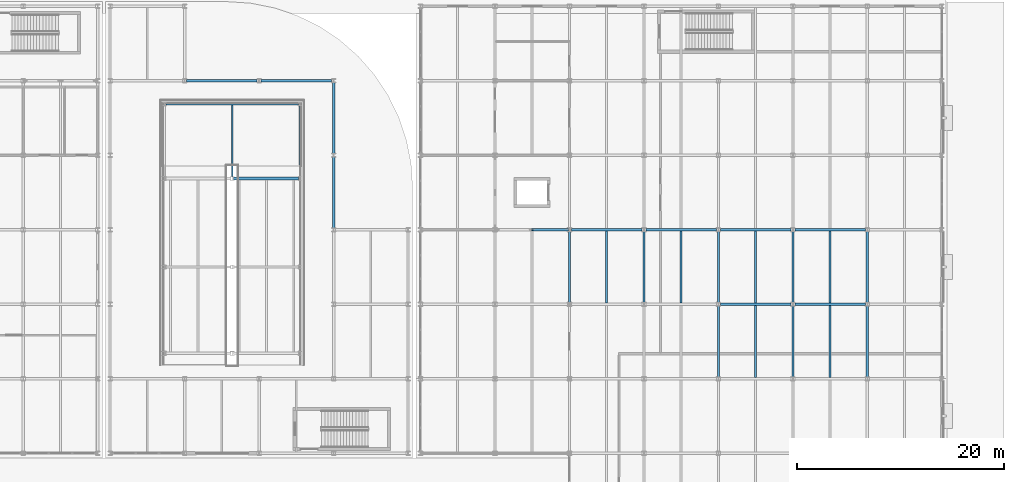
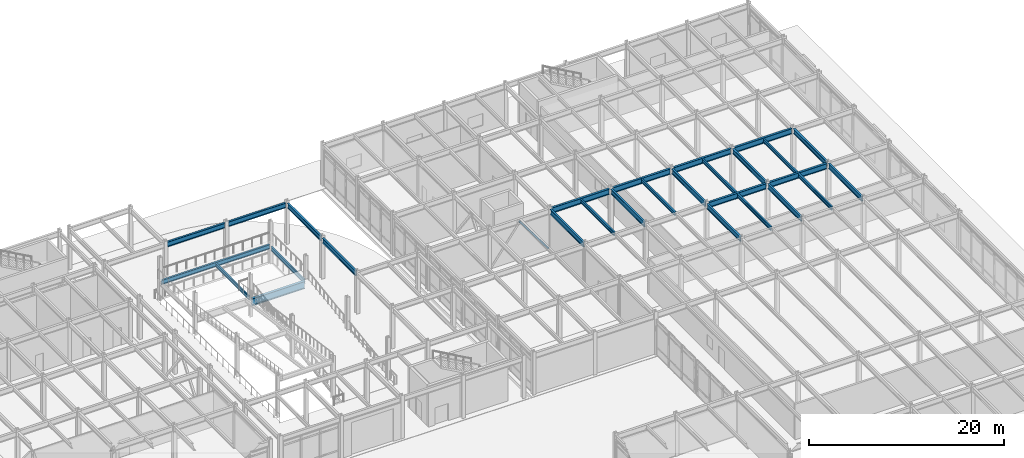
# One storey, part 52 of 104: 28 beams, 1 member.
"""IFC4 building model written with IfcOpenShell, lengths in metres."""

from ifc_helpers import new_model, si_unit, direction, frame, origin, origin_2d, place, context, subcontext, project, spatial, hollow_rectangle, i_section, extrude, material, material_profile, profile_set, type_object, element, save


model = new_model("IFC4")

# Units and contexts
model_context = context("Model", 3, precision=1e-05, world=origin(), true_north=direction((0.0, 1.0)))
body_context = subcontext(model_context, "Body", "Model", "MODEL_VIEW")
ifc_project = project(units=[si_unit("LENGTHUNIT", "METRE"), si_unit("AREAUNIT", "SQUARE_METRE"), si_unit("VOLUMEUNIT", "CUBIC_METRE"), si_unit("PLANEANGLEUNIT", "RADIAN"), si_unit("MASSUNIT", "GRAM", prefix="KILO")], contexts=[model_context])

# Site, building, storey
site_placement = place(None, origin())
site = spatial("IfcSite", under=ifc_project, at=site_placement, CompositionType="ELEMENT")
building_placement = place(site_placement, origin())
building = spatial("IfcBuilding", under=site, at=building_placement, Name="Vaelcorin Mobility Hub", CompositionType="ELEMENT")
storey_placement = place(building_placement, origin())
storey = spatial("IfcBuildingStorey", under=building, at=storey_placement, Name="L00", CompositionType="ELEMENT", Elevation=0.0)

# Beams
ifc_material_1 = material(Name="Steel ASTM A992 Grade 50", Category="steel")
ifc_material_profile_1 = material_profile(ifc_material_1, i_section(OverallWidth=0.152099609375, OverallDepth=0.455078125, WebThickness=0.008056640625, FlangeThickness=0.01318359375, FilletRadius=0.012939453125, at=origin_2d()), Name="W18X40")
ifc_profile_set_1 = profile_set([ifc_material_profile_1], Name="Steel ASTM A992 Grade 50")
beam_type_1 = type_object("IfcBeamType", Name="BM-W18X40", PredefinedType="JOIST", material=ifc_profile_set_1)
beam_1_placement = place(storey_placement, frame((135.39990234375, 103.52490234375, 2.19189453125), z_axis=(0.0, 1.0, 0.0), x_axis=(-1.0, 0.0, 0.0)))
element("IfcBeam", 1, at=beam_1_placement, inside=storey, type_object=beam_type_1, Name="Vehicle Ramp VR-2 L00 Landing Mid Joist", PredefinedType="JOIST", context=body_context, shape_type="SweptSolid", body=[
    extrude(i_section(OverallWidth=0.152099609375, OverallDepth=0.455078125, WebThickness=0.008056640625, FlangeThickness=0.01318359375, FilletRadius=0.012939453125, at=origin_2d()), origin(), (0.0, 0.0, 1.0), 6.922119140625),
])
ifc_material_profile_2 = material_profile(ifc_material_1, i_section(OverallWidth=0.19091796875, OverallDepth=0.4599609375, WebThickness=0.010009765625, FlangeThickness=0.01611328125, FilletRadius=0.012939453125, at=origin_2d()), Name="W18X55")
ifc_profile_set_2 = profile_set([ifc_material_profile_2], Name="Steel ASTM A992 Grade 50")
beam_type_2 = type_object("IfcBeamType", Name="BM-W18X55", PredefinedType="JOIST", material=ifc_profile_set_2)
for number, where, z_axis, x_axis, name in (
    (2, (171.60009765625, 91.324951171875, 4.909912109375), (0.0, 1.0, 0.0), (-1.0, 0.0, 0.0), "L00 Beam V5-L00-J-03-11-1"),
    (3, (178.800048828125, 91.324951171875, 4.909912109375), (0.0, 1.0, 0.0), (-1.0, 0.0, 0.0), "L00 Beam V5-L00-J-04-11-1"),
    (4, (186.0, 84.125, 4.909912109375), (0.0, 1.0, 0.0), (-1.0, 0.0, 0.0), "L00 Beam V5-L00-J-05-10-1"),
    (5, (186.0, 91.324951171875, 4.909912109375), (0.0, 1.0, 0.0), (-1.0, 0.0, 0.0), "L00 Beam V5-L00-J-05-11-1"),
    (6, (193.199951171875, 84.125, 4.909912109375), (0.0, 1.0, 0.0), (-1.0, 0.0, 0.0), "L00 Beam V5-L00-J-06-10-1"),
    (7, (193.199951171875, 91.324951171875, 4.909912109375), (0.0, 1.0, 0.0), (-1.0, 0.0, 0.0), "L00 Beam V5-L00-J-06-11-1"),
):
    element("IfcBeam", number, at=place(storey_placement, frame(where, z_axis=z_axis, x_axis=x_axis)), inside=storey, type_object=beam_type_2, Name=name, PredefinedType="JOIST", context=body_context, shape_type="SweptSolid", body=[
        extrude(i_section(OverallWidth=0.19091796875, OverallDepth=0.4599609375, WebThickness=0.010009765625, FlangeThickness=0.01611328125, FilletRadius=0.012939453125, at=origin_2d()), origin(), (0.0, 0.0, 1.0), 6.949951171875),
    ])
ifc_material_profile_3 = material_profile(ifc_material_1, i_section(OverallWidth=0.166015625, OverallDepth=0.528076171875, WebThickness=0.009765625, FlangeThickness=0.013671875, FilletRadius=0.013916015625, at=origin_2d()), Name="W21X50")
ifc_profile_set_3 = profile_set([ifc_material_profile_3], Name="Steel ASTM A992 Grade 50")
beam_type_3 = type_object("IfcBeamType", Name="BM-W21X50", PredefinedType="JOIST", material=ifc_profile_set_3)
beam_2_placement = place(storey_placement, frame((141.949951171875, 103.52490234375, 1.9560546875), z_axis=(0.0, 1.0, 0.0), x_axis=(-1.0, 0.0, 0.0)))
element("IfcBeam", 8, at=beam_2_placement, inside=storey, type_object=beam_type_3, Name="Vehicle Ramp VR-2 L00 Landing East Edge Beam", PredefinedType="JOIST", context=body_context, shape_type="SweptSolid", body=[
    extrude(i_section(OverallWidth=0.166015625, OverallDepth=0.528076171875, WebThickness=0.009765625, FlangeThickness=0.013671875, FilletRadius=0.013916015625, at=origin_2d()), origin(), (0.0, 0.0, 1.0), 6.85009765625),
])
ifc_material_profile_4 = material_profile(ifc_material_1, i_section(OverallWidth=0.2099609375, OverallDepth=0.535888671875, WebThickness=0.010986328125, FlangeThickness=0.017333984375, FilletRadius=0.013916015625, at=origin_2d()), Name="W21X68")
ifc_profile_set_4 = profile_set([ifc_material_profile_4], Name="Steel ASTM A992 Grade 50")
beam_type_4 = type_object("IfcBeamType", Name="BM-W21X68", PredefinedType="SPANDREL", material=ifc_profile_set_4)
beam_3_placement = place(storey_placement, frame((128.97998046875, 110.550048828125, 2.152099609375), z_axis=(1.0, 0.0, 0.0), x_axis=(0.0, 1.0, 0.0)))
element("IfcBeam", 9, at=beam_3_placement, inside=storey, type_object=beam_type_4, Name="Vehicle Ramp VR-2 L00 Landing Back Girder", PredefinedType="SPANDREL", context=body_context, shape_type="SweptSolid", body=[
    extrude(i_section(OverallWidth=0.2099609375, OverallDepth=0.535888671875, WebThickness=0.010986328125, FlangeThickness=0.017333984375, FilletRadius=0.013916015625, at=origin_2d()), origin(), (0.0, 0.0, 1.0), 12.840087890625),
])
ifc_material_profile_5 = material_profile(ifc_material_1, i_section(OverallWidth=0.22900390625, OverallDepth=0.612060546875, WebThickness=0.011962890625, FlangeThickness=0.01953125, FilletRadius=0.014892578125, at=origin_2d()), Name="W24X84")
ifc_profile_set_5 = profile_set([ifc_material_profile_5], Name="Steel ASTM A992 Grade 50")
beam_type_5 = type_object("IfcBeamType", Name="BM-W24X84", PredefinedType="BEAM", material=ifc_profile_set_5)
for number, where, z_axis, x_axis, name in (
    (10, (130.99609375, 112.800048828125, 4.843994140625), (1.0, 0.0, 0.0), (0.0, 1.0, 0.0), "L00 Beam V2E-L00-GX-06-02"),
    (11, (138.196044921875, 112.800048828125, 4.843994140625), (1.0, 0.0, 0.0), (0.0, 1.0, 0.0), "L00 Beam V2E-L00-GX-06-03"),
):
    element("IfcBeam", number, at=place(storey_placement, frame(where, z_axis=z_axis, x_axis=x_axis)), inside=storey, type_object=beam_type_5, Name=name, PredefinedType="BEAM", context=body_context, shape_type="SweptSolid", body=[
        extrude(i_section(OverallWidth=0.22900390625, OverallDepth=0.612060546875, WebThickness=0.011962890625, FlangeThickness=0.01953125, FilletRadius=0.014892578125, at=origin_2d()), origin(), (0.0, 0.0, 1.0), 6.807861328125),
    ])
beam_4_placement = place(storey_placement, frame((145.199951171875, 98.589111328125, 4.843994140625), z_axis=(0.0, 1.0, 0.0), x_axis=(-1.0, 0.0, 0.0)))
element("IfcBeam", 12, at=beam_4_placement, inside=storey, type_object=beam_type_5, Name="L00 Beam V2E-L00-GY-04-04", PredefinedType="BEAM", context=body_context, shape_type="SweptSolid", body=[
    extrude(i_section(OverallWidth=0.22900390625, OverallDepth=0.612060546875, WebThickness=0.011962890625, FlangeThickness=0.01953125, FilletRadius=0.014892578125, at=origin_2d()), origin(), (0.0, 0.0, 1.0), 6.82177734375),
])
for number, where, z_axis, x_axis, name in (
    (13, (145.199951171875, 105.7880859375, 4.843994140625), (0.0, 1.0, 0.0), (-1.0, 0.0, 0.0), "L00 Beam V2E-L00-GY-04-05"),
    (14, (168.0, 91.388916015625, 4.833984375), (0.0, 1.0, 0.0), (-1.0, 0.0, 0.0), "L00 Beam V5-L00-GY-03-11"),
    (15, (175.199951171875, 91.388916015625, 4.833984375), (0.0, 1.0, 0.0), (-1.0, 0.0, 0.0), "L00 Beam V5-L00-GY-04-11"),
):
    element("IfcBeam", number, at=place(storey_placement, frame(where, z_axis=z_axis, x_axis=x_axis)), inside=storey, type_object=beam_type_5, Name=name, PredefinedType="BEAM", context=body_context, shape_type="SweptSolid", body=[
        extrude(i_section(OverallWidth=0.22900390625, OverallDepth=0.612060546875, WebThickness=0.011962890625, FlangeThickness=0.01953125, FilletRadius=0.014892578125, at=origin_2d()), origin(), (0.0, 0.0, 1.0), 6.822998046875),
    ])
beam_5_placement = place(storey_placement, frame((182.39990234375, 84.18798828125, 4.833984375), z_axis=(0.0, 1.0, 0.0), x_axis=(-1.0, 0.0, 0.0)))
element("IfcBeam", 16, at=beam_5_placement, inside=storey, type_object=beam_type_5, Name="L00 Beam V5-L00-GY-05-10", PredefinedType="BEAM", context=body_context, shape_type="SweptSolid", body=[
    extrude(i_section(OverallWidth=0.22900390625, OverallDepth=0.612060546875, WebThickness=0.011962890625, FlangeThickness=0.01953125, FilletRadius=0.014892578125, at=origin_2d()), origin(), (0.0, 0.0, 1.0), 6.823974609375),
])
beam_6_placement = place(storey_placement, frame((182.39990234375, 91.388916015625, 4.833984375), z_axis=(0.0, 1.0, 0.0), x_axis=(-1.0, 0.0, 0.0)))
element("IfcBeam", 17, at=beam_6_placement, inside=storey, type_object=beam_type_5, Name="L00 Beam V5-L00-GY-05-11", PredefinedType="BEAM", context=body_context, shape_type="SweptSolid", body=[
    extrude(i_section(OverallWidth=0.22900390625, OverallDepth=0.612060546875, WebThickness=0.011962890625, FlangeThickness=0.01953125, FilletRadius=0.014892578125, at=origin_2d()), origin(), (0.0, 0.0, 1.0), 6.822998046875),
])
beam_7_placement = place(storey_placement, frame((189.60009765625, 84.18798828125, 4.833984375), z_axis=(0.0, 1.0, 0.0), x_axis=(-1.0, 0.0, 0.0)))
element("IfcBeam", 18, at=beam_7_placement, inside=storey, type_object=beam_type_5, Name="L00 Beam V5-L00-GY-06-10", PredefinedType="BEAM", context=body_context, shape_type="SweptSolid", body=[
    extrude(i_section(OverallWidth=0.22900390625, OverallDepth=0.612060546875, WebThickness=0.011962890625, FlangeThickness=0.01953125, FilletRadius=0.014892578125, at=origin_2d()), origin(), (0.0, 0.0, 1.0), 6.823974609375),
])
beam_8_placement = place(storey_placement, frame((189.60009765625, 91.388916015625, 4.833984375), z_axis=(0.0, 1.0, 0.0), x_axis=(-1.0, 0.0, 0.0)))
element("IfcBeam", 19, at=beam_8_placement, inside=storey, type_object=beam_type_5, Name="L00 Beam V5-L00-GY-06-11", PredefinedType="BEAM", context=body_context, shape_type="SweptSolid", body=[
    extrude(i_section(OverallWidth=0.22900390625, OverallDepth=0.612060546875, WebThickness=0.011962890625, FlangeThickness=0.01953125, FilletRadius=0.014892578125, at=origin_2d()), origin(), (0.0, 0.0, 1.0), 6.822998046875),
])
beam_9_placement = place(storey_placement, frame((196.800048828125, 84.18798828125, 4.833984375), z_axis=(0.0, 1.0, 0.0), x_axis=(-1.0, 0.0, 0.0)))
element("IfcBeam", 20, at=beam_9_placement, inside=storey, type_object=beam_type_5, Name="L00 Beam V5-L00-GY-07-10", PredefinedType="BEAM", context=body_context, shape_type="SweptSolid", body=[
    extrude(i_section(OverallWidth=0.22900390625, OverallDepth=0.612060546875, WebThickness=0.011962890625, FlangeThickness=0.01953125, FilletRadius=0.014892578125, at=origin_2d()), origin(), (0.0, 0.0, 1.0), 6.823974609375),
])
beam_10_placement = place(storey_placement, frame((196.800048828125, 91.388916015625, 4.833984375), z_axis=(0.0, 1.0, 0.0), x_axis=(-1.0, 0.0, 0.0)))
element("IfcBeam", 21, at=beam_10_placement, inside=storey, type_object=beam_type_5, Name="L00 Beam V5-L00-GY-07-11", PredefinedType="BEAM", context=body_context, shape_type="SweptSolid", body=[
    extrude(i_section(OverallWidth=0.22900390625, OverallDepth=0.612060546875, WebThickness=0.011962890625, FlangeThickness=0.01953125, FilletRadius=0.014892578125, at=origin_2d()), origin(), (0.0, 0.0, 1.0), 6.822998046875),
])
ifc_material_profile_6 = material_profile(ifc_material_1, i_section(OverallWidth=0.25390625, OverallDepth=0.68310546875, WebThickness=0.012451171875, FlangeThickness=0.018798828125, FilletRadius=0.01611328125, at=origin_2d()), Name="W27X94")
ifc_profile_set_6 = profile_set([ifc_material_profile_6], Name="Steel ASTM A992 Grade 50")
beam_type_6 = type_object("IfcBeamType", Name="BM-W27X94", PredefinedType="BEAM", material=ifc_profile_set_6)
for number, where, z_axis, x_axis, name in (
    (22, (182.595947265625, 91.199951171875, 4.798095703125), (1.0, 0.0, 0.0), (0.0, 1.0, 0.0), "L00 Beam V5-L00-GX-11-05"),
    (23, (189.7958984375, 91.199951171875, 4.798095703125), (1.0, 0.0, 0.0), (0.0, 1.0, 0.0), "L00 Beam V5-L00-GX-11-06"),
):
    element("IfcBeam", number, at=place(storey_placement, frame(where, z_axis=z_axis, x_axis=x_axis)), inside=storey, type_object=beam_type_6, Name=name, PredefinedType="BEAM", context=body_context, shape_type="SweptSolid", body=[
        extrude(i_section(OverallWidth=0.25390625, OverallDepth=0.68310546875, WebThickness=0.012451171875, FlangeThickness=0.018798828125, FilletRadius=0.01611328125, at=origin_2d()), origin(), (0.0, 0.0, 1.0), 6.80810546875),
    ])
beam_11_placement = place(storey_placement, frame((168.196044921875, 98.39990234375, 4.798095703125), z_axis=(1.0, 0.0, 0.0), x_axis=(0.0, 1.0, 0.0)))
element("IfcBeam", 24, at=beam_11_placement, inside=storey, type_object=beam_type_6, Name="L00 Beam V5-L00-GX-12-03", PredefinedType="BEAM", context=body_context, shape_type="SweptSolid", body=[
    extrude(i_section(OverallWidth=0.25390625, OverallDepth=0.68310546875, WebThickness=0.012451171875, FlangeThickness=0.018798828125, FilletRadius=0.01611328125, at=origin_2d()), origin(), (0.0, 0.0, 1.0), 6.807861328125),
])
for number, where, z_axis, x_axis, name in (
    (25, (175.39599609375, 98.39990234375, 4.798095703125), (1.0, 0.0, 0.0), (0.0, 1.0, 0.0), "L00 Beam V5-L00-GX-12-04"),
    (26, (182.595947265625, 98.39990234375, 4.798095703125), (1.0, 0.0, 0.0), (0.0, 1.0, 0.0), "L00 Beam V5-L00-GX-12-05"),
    (27, (189.7958984375, 98.39990234375, 4.798095703125), (1.0, 0.0, 0.0), (0.0, 1.0, 0.0), "L00 Beam V5-L00-GX-12-06"),
):
    element("IfcBeam", number, at=place(storey_placement, frame(where, z_axis=z_axis, x_axis=x_axis)), inside=storey, type_object=beam_type_6, Name=name, PredefinedType="BEAM", context=body_context, shape_type="SweptSolid", body=[
        extrude(i_section(OverallWidth=0.25390625, OverallDepth=0.68310546875, WebThickness=0.012451171875, FlangeThickness=0.018798828125, FilletRadius=0.01611328125, at=origin_2d()), origin(), (0.0, 0.0, 1.0), 6.80810546875),
    ])
ifc_material_profile_7 = material_profile(ifc_material_1, i_section(OverallWidth=0.304931640625, OverallDepth=0.9140625, WebThickness=0.0166015625, FlangeThickness=0.02587890625, FilletRadius=0.02001953125, at=origin_2d()), Name="W36X160")
ifc_profile_set_7 = profile_set([ifc_material_profile_7], Name="Steel ASTM A992 Grade 50")
beam_type_7 = type_object("IfcBeamType", Name="BM-W36X160", PredefinedType="BEAM", material=ifc_profile_set_7)
beam_12_placement = place(storey_placement, frame((135.530029296875, 103.35009765625, 1.762939453125), z_axis=(1.0, 0.0, 0.0), x_axis=(0.0, 1.0, 0.0)))
element("IfcBeam", 28, at=beam_12_placement, inside=storey, type_object=beam_type_7, Name="Vehicle Ramp VR-2 L00 Landing Girder NE", PredefinedType="BEAM", context=body_context, shape_type="SweptSolid", body=[
    extrude(i_section(OverallWidth=0.304931640625, OverallDepth=0.9140625, WebThickness=0.0166015625, FlangeThickness=0.02587890625, FilletRadius=0.02001953125, at=origin_2d()), origin(), (0.0, 0.0, 1.0), 6.2900390625),
])

# Member
ifc_material_2 = material(Name="Steel ASTM A500 Grade C", Category="steel")
ifc_material_profile_8 = material_profile(ifc_material_2, hollow_rectangle(XDim=0.203125, YDim=0.203125, WallThickness=0.01171875, at=origin_2d()), Name="HSS8X8X0.500")
ifc_profile_set_8 = profile_set([ifc_material_profile_8], Name="Steel ASTM A500 Grade C")
member_type = type_object("IfcMemberType", Name="BR-SCBF-8X8", PredefinedType="BRACE", material=ifc_profile_set_8)
member_placement = place(storey_placement, frame((167.81005859375, 98.39990234375, 0.179931640625), z_axis=(-0.598045829922, 0.0, 0.801461905091), x_axis=(0.0, -1.0, 0.0)))
element("IfcMember", 29, at=member_placement, inside=storey, type_object=member_type, Name="SCBF Chevron Brace V5-BX2-L00-B", PredefinedType="BRACE", context=body_context, shape_type="SweptSolid", body=[
    extrude(hollow_rectangle(XDim=0.203125, YDim=0.203125, WallThickness=0.01171875, at=origin_2d()), origin(), (0.0, 0.0, 1.0), 5.7021484375),
])

save(model, "model.ifc")
